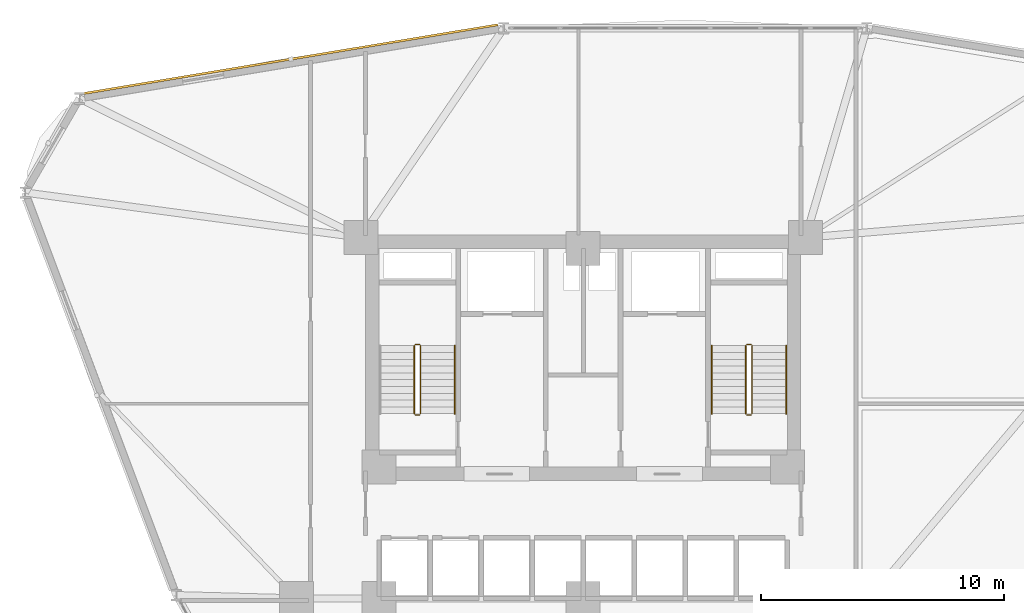
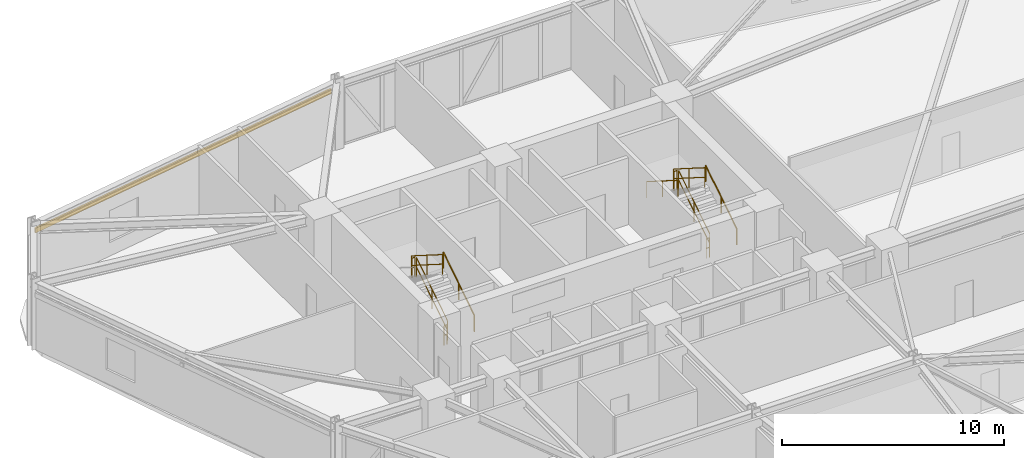
# One storey, part 19 of 20: 11 railings, 1 shading device.
"""IFC4 building model written with IfcOpenShell, lengths in metres."""

from ifc_helpers import new_model, si_unit, derived_unit, direction, frame, origin, origin_2d, place, context, subcontext, project, spatial, hollow_rectangle, circle, extrude, source, transform, mapped, material, material_profile, profile_set, type_object, element, save


model = new_model("IFC4")

# Units and contexts
model_context = context("Model", 3, precision=1e-05, world=origin(), true_north=direction((0.0, 1.0)))
body_context = subcontext(model_context, "Body", "Model", "MODEL_VIEW")
ifc_project = project(units=[si_unit("LENGTHUNIT", "METRE"), si_unit("AREAUNIT", "SQUARE_METRE"), si_unit("VOLUMEUNIT", "CUBIC_METRE"), si_unit("PLANEANGLEUNIT", "RADIAN"), si_unit("MASSUNIT", "GRAM", prefix="KILO"), derived_unit("THERMALTRANSMITTANCEUNIT", [(si_unit("POWERUNIT", "WATT"), 1), (si_unit("LENGTHUNIT", "METRE"), -2), (si_unit("THERMODYNAMICTEMPERATUREUNIT", "KELVIN"), -1)])], contexts=[model_context])

# Site, building, storey
site_placement = place(None, origin())
site = spatial("IfcSite", under=ifc_project, at=site_placement, CompositionType="ELEMENT")
building_placement = place(site_placement, origin())
building = spatial("IfcBuilding", under=site, at=building_placement, Name="Korsvarv Bourse and Concert Hall", CompositionType="ELEMENT")
storey_placement = place(building_placement, frame((0.0, 0.0, 75.60009765625)))
storey = spatial("IfcBuildingStorey", under=building, at=storey_placement, Name="L18", CompositionType="ELEMENT", Elevation=75.60009765625)

# Railings
ifc_material_1 = material(Name="Painted Steel S355 stair well guardrail", Category="steel")
railing_type_1 = type_object("IfcRailingType", Name="RL-ST-GRD", PredefinedType="GUARDRAIL", material=ifc_material_1)
railing_1_placement = place(storey_placement, frame((29.31005859375, 40.0, 0.17724609375)))
element("IfcRailing", 1, at=railing_1_placement, inside=storey, type_object=railing_type_1, Name="L18 ST-T1 stair guard 1", PredefinedType="GUARDRAIL", context=body_context, shape_type="SweptSolid", body=[
    extrude(circle(Radius=0.02392578125, at=origin_2d()), frame((0.0, 0.0, 1.076171875), z_axis=(0.0, 0.844908973607, 0.534910110503), x_axis=(-1.0, 0.0, 0.0)), (0.0, 0.0, 1.0), 3.31396484375),
    extrude(circle(Radius=0.02392578125, at=origin_2d()), frame((0.0, 0.0, 0.550048828125), z_axis=(0.0, 0.844908973607, 0.534910110503), x_axis=(-1.0, 0.0, 0.0)), (0.0, 0.0, 1.0), 3.31396484375),
    extrude(circle(Radius=0.02099609375, at=origin_2d()), origin(), (0.0, 0.0, 1.0), 1.052001953125),
    extrude(circle(Radius=0.02099609375, at=origin_2d()), frame((0.0, 1.39990234375, 0.88623046875)), (0.0, 0.0, 1.0), 1.052001953125),
    extrude(circle(Radius=0.02099609375, at=origin_2d()), frame((0.0, 2.800048828125, 1.772705078125)), (0.0, 0.0, 1.0), 1.052001953125),
])
railing_2_placement = place(storey_placement, frame((29.260009765625, 42.85009765625, 1.949951171875)))
element("IfcRailing", 2, at=railing_2_placement, inside=storey, type_object=railing_type_1, Name="L18 ST-T1 stair guard 2", PredefinedType="GUARDRAIL", context=body_context, shape_type="SweptSolid", body=[
    extrude(circle(Radius=0.02392578125, at=origin_2d()), frame((0.0, 0.0, 1.076171875), z_axis=(-1.0, 0.0, 0.0), x_axis=(0.0, -1.0, 0.0)), (0.0, 0.0, 1.0), 0.159912109375),
    extrude(circle(Radius=0.02392578125, at=origin_2d()), frame((0.0, 0.0, 0.550048828125), z_axis=(-1.0, 0.0, 0.0), x_axis=(0.0, -1.0, 0.0)), (0.0, 0.0, 1.0), 0.159912109375),
    extrude(circle(Radius=0.02099609375, at=origin_2d()), origin(), (0.0, 0.0, 1.0), 1.052001953125),
    extrude(circle(Radius=0.02099609375, at=origin_2d()), frame((-0.159912109375, 0.0, 0.0)), (0.0, 0.0, 1.0), 1.052001953125),
])
railing_3_placement = place(storey_placement, frame((29.050048828125, 42.800048828125, 2.127197265625)))
element("IfcRailing", 3, at=railing_3_placement, inside=storey, type_object=railing_type_1, Name="L18 ST-T1 stair guard 3", PredefinedType="GUARDRAIL", context=body_context, shape_type="SweptSolid", body=[
    extrude(circle(Radius=0.02392578125, at=origin_2d()), frame((0.0, 0.0, 1.076171875), z_axis=(0.0, -0.844908973607, 0.534910110503), x_axis=(1.0, 0.0, 0.0)), (0.0, 0.0, 1.0), 3.31396484375),
    extrude(circle(Radius=0.02392578125, at=origin_2d()), frame((0.0, 0.0, 0.550048828125), z_axis=(0.0, -0.844908973607, 0.534910110503), x_axis=(1.0, 0.0, 0.0)), (0.0, 0.0, 1.0), 3.31396484375),
    extrude(circle(Radius=0.02099609375, at=origin_2d()), origin(), (0.0, 0.0, 1.0), 1.052001953125),
    extrude(circle(Radius=0.02099609375, at=origin_2d()), frame((0.0, -1.39990234375, 0.88623046875)), (0.0, 0.0, 1.0), 1.052001953125),
    extrude(circle(Radius=0.02099609375, at=origin_2d()), frame((0.0, -2.800048828125, 1.772705078125)), (0.0, 0.0, 1.0), 1.052001953125),
])
railing_4_placement = place(storey_placement, frame((29.260009765625, 39.949951171875, 0.0)))
element("IfcRailing", 4, at=railing_4_placement, inside=storey, type_object=railing_type_1, Name="L18 ST-T1 stair guard 4", PredefinedType="GUARDRAIL", context=body_context, shape_type="SweptSolid", body=[
    extrude(circle(Radius=0.02392578125, at=origin_2d()), frame((0.0, 0.0, 1.076171875), z_axis=(-1.0, 0.0, 0.0), x_axis=(0.0, -1.0, 0.0)), (0.0, 0.0, 1.0), 0.159912109375),
    extrude(circle(Radius=0.02392578125, at=origin_2d()), frame((0.0, 0.0, 0.550048828125), z_axis=(-1.0, 0.0, 0.0), x_axis=(0.0, -1.0, 0.0)), (0.0, 0.0, 1.0), 0.159912109375),
    extrude(circle(Radius=0.02099609375, at=origin_2d()), origin(), (0.0, 0.0, 1.0), 1.052001953125),
    extrude(circle(Radius=0.02099609375, at=origin_2d()), frame((-0.159912109375, 0.0, 0.0)), (0.0, 0.0, 1.0), 1.052001953125),
])
railing_5_placement = place(storey_placement, frame((42.949951171875, 40.0, 0.17724609375)))
element("IfcRailing", 5, at=railing_5_placement, inside=storey, type_object=railing_type_1, Name="L18 ST-T2 stair guard 1", PredefinedType="GUARDRAIL", context=body_context, shape_type="SweptSolid", body=[
    extrude(circle(Radius=0.02392578125, at=origin_2d()), frame((0.0, 0.0, 1.076171875), z_axis=(0.0, 0.844908973607, 0.534910110503), x_axis=(-1.0, 0.0, 0.0)), (0.0, 0.0, 1.0), 3.31396484375),
    extrude(circle(Radius=0.02392578125, at=origin_2d()), frame((0.0, 0.0, 0.550048828125), z_axis=(0.0, 0.844908973607, 0.534910110503), x_axis=(-1.0, 0.0, 0.0)), (0.0, 0.0, 1.0), 3.31396484375),
    extrude(circle(Radius=0.02099609375, at=origin_2d()), origin(), (0.0, 0.0, 1.0), 1.052001953125),
    extrude(circle(Radius=0.02099609375, at=origin_2d()), frame((0.0, 1.39990234375, 0.88623046875)), (0.0, 0.0, 1.0), 1.052001953125),
    extrude(circle(Radius=0.02099609375, at=origin_2d()), frame((0.0, 2.800048828125, 1.772705078125)), (0.0, 0.0, 1.0), 1.052001953125),
])
railing_6_placement = place(storey_placement, frame((42.89990234375, 42.85009765625, 1.949951171875)))
element("IfcRailing", 6, at=railing_6_placement, inside=storey, type_object=railing_type_1, Name="L18 ST-T2 stair guard 2", PredefinedType="GUARDRAIL", context=body_context, shape_type="SweptSolid", body=[
    extrude(circle(Radius=0.02392578125, at=origin_2d()), frame((0.0, 0.0, 1.076171875), z_axis=(-1.0, 0.0, 0.0), x_axis=(0.0, -1.0, 0.0)), (0.0, 0.0, 1.0), 0.159912109375),
    extrude(circle(Radius=0.02392578125, at=origin_2d()), frame((0.0, 0.0, 0.550048828125), z_axis=(-1.0, 0.0, 0.0), x_axis=(0.0, -1.0, 0.0)), (0.0, 0.0, 1.0), 0.159912109375),
    extrude(circle(Radius=0.02099609375, at=origin_2d()), origin(), (0.0, 0.0, 1.0), 1.052001953125),
    extrude(circle(Radius=0.02099609375, at=origin_2d()), frame((-0.159912109375, 0.0, 0.0)), (0.0, 0.0, 1.0), 1.052001953125),
])
railing_7_placement = place(storey_placement, frame((42.68994140625, 42.800048828125, 2.127197265625)))
element("IfcRailing", 7, at=railing_7_placement, inside=storey, type_object=railing_type_1, Name="L18 ST-T2 stair guard 3", PredefinedType="GUARDRAIL", context=body_context, shape_type="SweptSolid", body=[
    extrude(circle(Radius=0.02392578125, at=origin_2d()), frame((0.0, 0.0, 1.076171875), z_axis=(0.0, -0.844908973607, 0.534910110503), x_axis=(1.0, 0.0, 0.0)), (0.0, 0.0, 1.0), 3.31396484375),
    extrude(circle(Radius=0.02392578125, at=origin_2d()), frame((0.0, 0.0, 0.550048828125), z_axis=(0.0, -0.844908973607, 0.534910110503), x_axis=(1.0, 0.0, 0.0)), (0.0, 0.0, 1.0), 3.31396484375),
    extrude(circle(Radius=0.02099609375, at=origin_2d()), origin(), (0.0, 0.0, 1.0), 1.052001953125),
    extrude(circle(Radius=0.02099609375, at=origin_2d()), frame((0.0, -1.39990234375, 0.88623046875)), (0.0, 0.0, 1.0), 1.052001953125),
    extrude(circle(Radius=0.02099609375, at=origin_2d()), frame((0.0, -2.800048828125, 1.772705078125)), (0.0, 0.0, 1.0), 1.052001953125),
])
railing_8_placement = place(storey_placement, frame((42.89990234375, 39.949951171875, 0.0)))
element("IfcRailing", 8, at=railing_8_placement, inside=storey, type_object=railing_type_1, Name="L18 ST-T2 stair guard 4", PredefinedType="GUARDRAIL", context=body_context, shape_type="SweptSolid", body=[
    extrude(circle(Radius=0.02392578125, at=origin_2d()), frame((0.0, 0.0, 1.076171875), z_axis=(-1.0, 0.0, 0.0), x_axis=(0.0, -1.0, 0.0)), (0.0, 0.0, 1.0), 0.159912109375),
    extrude(circle(Radius=0.02392578125, at=origin_2d()), frame((0.0, 0.0, 0.550048828125), z_axis=(-1.0, 0.0, 0.0), x_axis=(0.0, -1.0, 0.0)), (0.0, 0.0, 1.0), 0.159912109375),
    extrude(circle(Radius=0.02099609375, at=origin_2d()), origin(), (0.0, 0.0, 1.0), 1.052001953125),
    extrude(circle(Radius=0.02099609375, at=origin_2d()), frame((-0.159912109375, 0.0, 0.0)), (0.0, 0.0, 1.0), 1.052001953125),
])
ifc_material_2 = material(Name="Brushed stainless Steel S355 tubular handrail", Category="steel")
railing_type_2 = type_object("IfcRailingType", Name="RL-ST-HND", PredefinedType="HANDRAIL", material=ifc_material_2)
for number, where, name in (
    (9, (30.7099609375, 40.0, 0.17724609375), "L18 ST-T1 stair handrail 1"),
    (10, (44.35009765625, 40.0, 0.17724609375), "L18 ST-T2 stair handrail 1"),
):
    element("IfcRailing", number, at=place(storey_placement, frame(where)), inside=storey, type_object=railing_type_2, Name=name, PredefinedType="HANDRAIL", context=body_context, shape_type="SweptSolid", body=[
        extrude(circle(Radius=0.02392578125, at=origin_2d()), frame((0.0, 0.0, 0.8759765625), z_axis=(0.0, 0.844908973607, 0.534910110503), x_axis=(-1.0, 0.0, 0.0)), (0.0, 0.0, 1.0), 3.31396484375),
        extrude(circle(Radius=0.02099609375, at=origin_2d()), origin(), (0.0, 0.0, 1.0), 0.851806640625),
        extrude(circle(Radius=0.02099609375, at=origin_2d()), frame((0.0, 1.39990234375, 0.88623046875)), (0.0, 0.0, 1.0), 0.851806640625),
        extrude(circle(Radius=0.02099609375, at=origin_2d()), frame((0.0, 2.800048828125, 1.772705078125)), (0.0, 0.0, 1.0), 0.851806640625),
    ])
railing_9_placement = place(storey_placement, frame((41.2900390625, 42.800048828125, 2.127197265625)))
element("IfcRailing", 11, at=railing_9_placement, inside=storey, type_object=railing_type_2, Name="L18 ST-T2 stair handrail 2", PredefinedType="HANDRAIL", context=body_context, shape_type="SweptSolid", body=[
    extrude(circle(Radius=0.02392578125, at=origin_2d()), frame((0.0, 0.0, 0.8759765625), z_axis=(0.0, -0.844908973607, 0.534910110503), x_axis=(1.0, 0.0, 0.0)), (0.0, 0.0, 1.0), 3.31396484375),
    extrude(circle(Radius=0.02099609375, at=origin_2d()), origin(), (0.0, 0.0, 1.0), 0.851806640625),
    extrude(circle(Radius=0.02099609375, at=origin_2d()), frame((0.0, -1.39990234375, 0.88623046875)), (0.0, 0.0, 1.0), 0.851806640625),
    extrude(circle(Radius=0.02099609375, at=origin_2d()), frame((0.0, -2.800048828125, 1.772705078125)), (0.0, 0.0, 1.0), 0.851806640625),
])

# Shading device
ifc_material_3 = material(Name="Glazed extruded architectural terracotta", Category="ceramic")
ifc_material_profile = material_profile(ifc_material_3, hollow_rectangle(XDim=0.090087890625, YDim=0.260009765625, WallThickness=0.011962890625, at=origin_2d()), Name="TC-BAG 90x260")
ifc_profile_set = profile_set([ifc_material_profile], Name="Glazed extruded architectural terracotta")
shading_device_type = type_object("IfcShadingDeviceType", Name="SHD-BAG-1", PredefinedType="USERDEFINED", material=ifc_profile_set)
shared_shape = source(origin(), body_context, "Body", "SweptSolid", [
    extrude(hollow_rectangle(XDim=0.090087890625, YDim=0.260009765625, WallThickness=0.011962890625, at=origin_2d()), origin(), (0.0, 0.0, 1.0), 17.2578125),
])
shading_device_placement = place(storey_placement, frame((32.485595703125, 56.00439453125, 3.06982421875), z_axis=(-0.986523232029, -0.163621247604, 0.0), x_axis=(0.163621247604, -0.986523232029, 0.0)))
element("IfcShadingDevice", 12, at=shading_device_placement, inside=storey, type_object=shading_device_type, Name="L18 terracotta baguette sunshade EW-L18-B04", ObjectType="BAGUETTE", PredefinedType="USERDEFINED", context=body_context, shape_type="MappedRepresentation", body=[
    mapped(shared_shape, transform((0.0, 0.0, 0.0), scale=1.0)),
])

save(model, "model.ifc")
